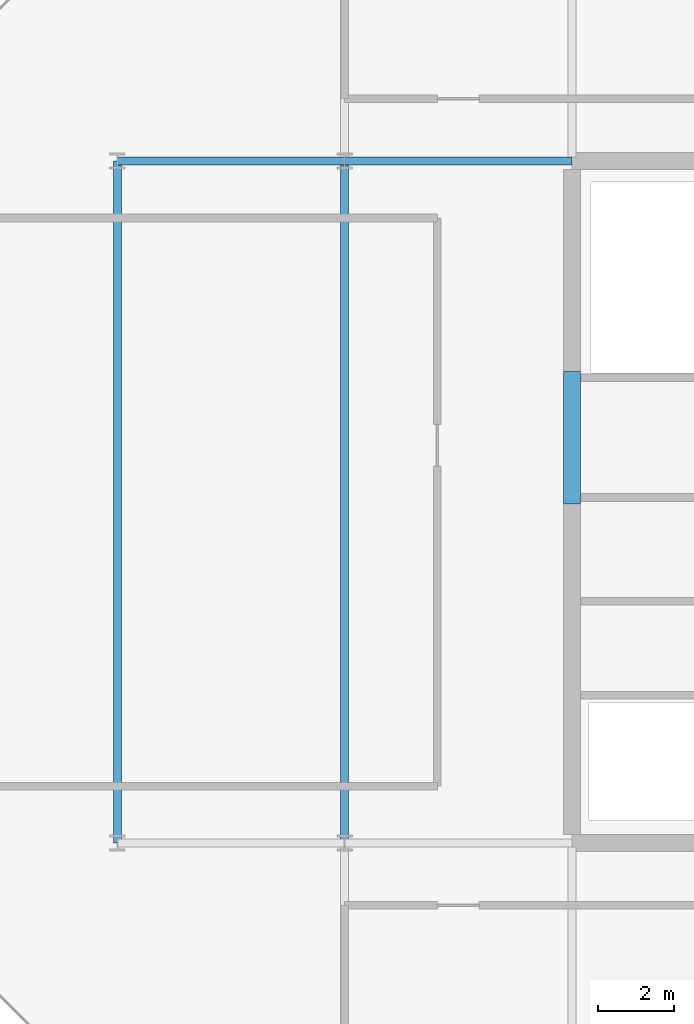
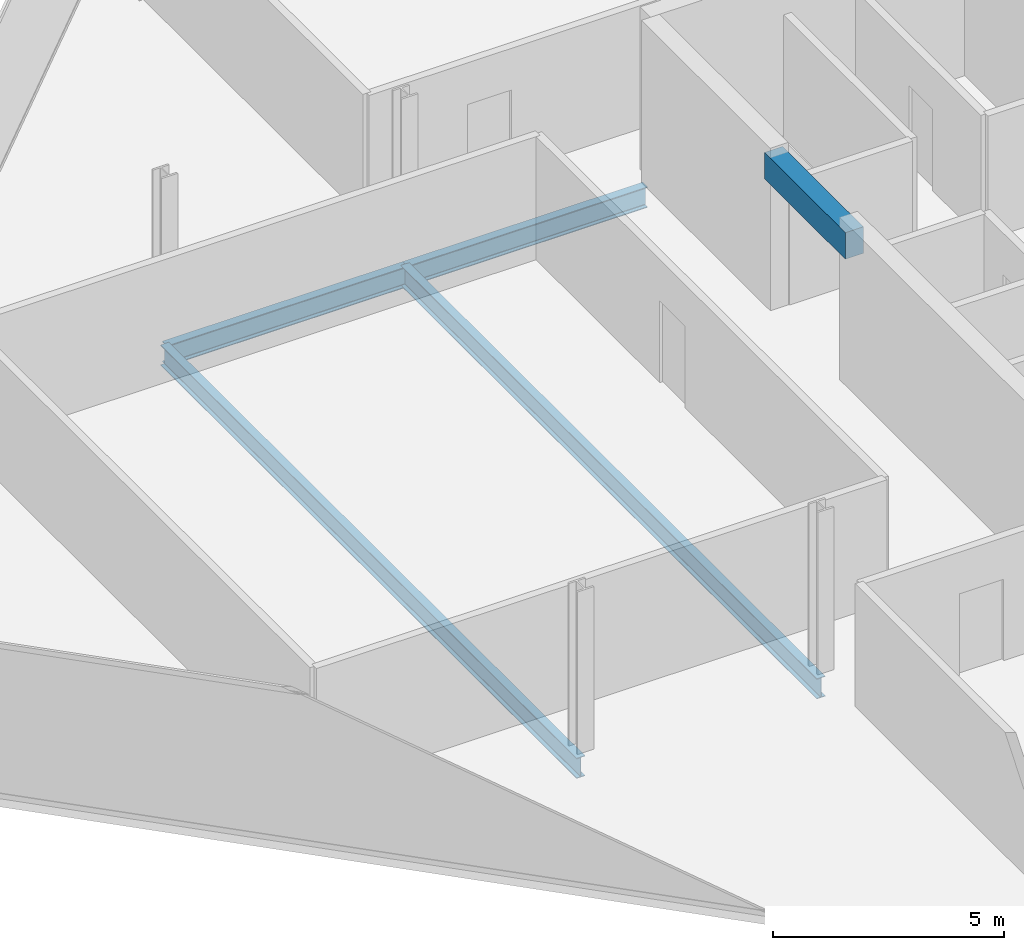
# One storey, part 5 of 16: 5 beams.
"""IFC4 building model written with IfcOpenShell, lengths in metres."""

import ifcopenshell
import ifcopenshell.guid

model = None  # the IFC model being written
_history = None  # IfcOwnerHistory: only IFC2X3 demands one
_inside = {}  # id of a spatial element -> (the spatial element, [elements in it])
_under = {}  # id of a project, library or spatial element -> (it, [spatial elements below it])
_declared = {}  # id of a project -> (the project, [libraries it declares])
_typed = {}  # id of a type object -> (the type object, [elements of that type])
_made_of = {}  # id of a material, layer set ... -> (it, [elements and type objects made of it])


def new_model(schema):
    """Start an empty IFC model of exactly this schema.

    Asked for "IFC4X3", IfcOpenShell would pick the latest addendum, in which some entities
    have other attributes; the version numbers below select the first issue.
    IFC2X3 requires an IfcOwnerHistory on every rooted entity: one is made here for all.
    """
    global model, _history
    if schema == "IFC4X3":
        model = ifcopenshell.file(schema_version=(4, 3, 0, 0))
    else:
        model = ifcopenshell.file(schema=schema)
    _inside.clear()
    _under.clear()
    _declared.clear()
    _typed.clear()
    _made_of.clear()
    _history = None
    if model.schema == "IFC2X3":
        org = make("IfcOrganization", Name="unknown")
        user = make(
            "IfcPersonAndOrganization",
            ThePerson=make("IfcPerson", FamilyName="unknown"),
            TheOrganization=org,
        )
        app = make(
            "IfcApplication",
            ApplicationDeveloper=org,
            Version="unknown",
            ApplicationFullName="unknown",
            ApplicationIdentifier="unknown",
        )
        _history = make(
            "IfcOwnerHistory",
            OwningUser=user,
            OwningApplication=app,
            ChangeAction="ADDED",
            CreationDate=0,
        )
    return model


def make(cls, **values):
    """One entity of the class cls with the attributes given. An attribute that is None is left unset."""
    return model.create_entity(
        cls, **{name: value for name, value in values.items() if value is not None}
    )


def rooted(cls, **values):
    """An entity with a GlobalId (a new one), such as an element, a storey or a relation."""
    return make(cls, GlobalId=ifcopenshell.guid.new(), OwnerHistory=_history, **values)


def si_unit(unit_type, name, prefix=None):
    """IfcSIUnit, for example si_unit("LENGTHUNIT", "METRE", prefix="MILLI")."""
    return make("IfcSIUnit", UnitType=unit_type, Prefix=prefix, Name=name)


def assignment(units):
    """IfcUnitAssignment: the units of a project."""
    return None if units is None else make("IfcUnitAssignment", Units=units)


def point(xyz):
    """IfcCartesianPoint."""
    return None if xyz is None else make("IfcCartesianPoint", Coordinates=xyz)


def direction(xyz):
    """IfcDirection."""
    return None if xyz is None else make("IfcDirection", DirectionRatios=xyz)


def frame(location, z_axis=None, x_axis=None):
    """IfcAxis2Placement3D, a coordinate frame: its origin and axes. An axis left out is left unset."""
    return make(
        "IfcAxis2Placement3D",
        Location=point(location),
        Axis=direction(z_axis),
        RefDirection=direction(x_axis),
    )


def frame_2d(location, x_axis=None):
    """IfcAxis2Placement2D, a coordinate frame in the plane: its origin and x axis."""
    return make(
        "IfcAxis2Placement2D", Location=point(location), RefDirection=direction(x_axis)
    )


def origin():
    """The frame at (0, 0, 0) with its axes left unset."""
    return frame((0.0, 0.0, 0.0))


def origin_2d():
    """The frame at (0, 0) in the plane with its x axis left unset."""
    return frame_2d((0.0, 0.0))


def place(relative_to, where):
    """IfcLocalPlacement: puts the frame where relative to a parent placement (None: the world)."""
    return make(
        "IfcLocalPlacement", PlacementRelTo=relative_to, RelativePlacement=where
    )


def context(
    kind, dimensions, precision=None, world=None, true_north=None, identifier=None
):
    """IfcGeometricRepresentationContext, for example the 3D "Model" context."""
    return make(
        "IfcGeometricRepresentationContext",
        ContextIdentifier=identifier,
        ContextType=kind,
        CoordinateSpaceDimension=dimensions,
        Precision=precision,
        WorldCoordinateSystem=world,
        TrueNorth=true_north,
    )


def subcontext(parent, identifier, kind, view, scale=None):
    """IfcGeometricRepresentationSubContext, for example "Body" below "Model"."""
    return make(
        "IfcGeometricRepresentationSubContext",
        ContextIdentifier=identifier,
        ContextType=kind,
        ParentContext=parent,
        TargetScale=scale,
        TargetView=view,
    )


def project(units=None, contexts=None):
    """IfcProject with its units and contexts."""
    return rooted(
        "IfcProject",
        Name="project",
        RepresentationContexts=contexts,
        UnitsInContext=assignment(units),
    )


def spatial(cls, under=None, at=None, **own):
    """A site, building, storey or space (cls), placed at a placement, below another one or the project."""
    s = rooted(cls, ObjectPlacement=at, **own)
    if under is not None:
        _under.setdefault(under.id(), (under, []))[1].append(s)
    return s


def profile(cls, at=None, kind="AREA", **sizes):
    """A parametric profile (cls). Its sizes go by their IFC names, for example OverallWidth=200.0."""
    return make(cls, ProfileType=kind, Position=at, **sizes)


def rectangle(**sizes):
    """IfcRectangleProfileDef."""
    return profile("IfcRectangleProfileDef", **sizes)


def i_section(**sizes):
    """IfcIShapeProfileDef."""
    return profile("IfcIShapeProfileDef", **sizes)


def extrude(swept, where, along, depth):
    """IfcExtrudedAreaSolid: the profile swept, set in the frame where, extruded along a direction by depth."""
    return make(
        "IfcExtrudedAreaSolid",
        SweptArea=swept,
        Position=where,
        ExtrudedDirection=direction(along),
        Depth=depth,
    )


def shape(context_of_items, identifier, shape_type, items):
    """IfcShapeRepresentation: the items that make up one representation, for example the "Body"."""
    return make(
        "IfcShapeRepresentation",
        ContextOfItems=context_of_items,
        RepresentationIdentifier=identifier,
        RepresentationType=shape_type,
        Items=items,
    )


def material(Name=None, Category=None):
    """IfcMaterial."""
    return make("IfcMaterial", Name=Name, Category=Category)


def material_profile(
    of_material, cross_section, Name=None, Category=None, Priority=None
):
    """IfcMaterialProfile: a cross section and its material."""
    return make(
        "IfcMaterialProfile",
        Name=Name,
        Material=of_material,
        Profile=cross_section,
        Priority=Priority,
        Category=Category,
    )


def profile_set(profiles, Name=None, composite=None):
    """IfcMaterialProfileSet."""
    return make(
        "IfcMaterialProfileSet",
        Name=Name,
        MaterialProfiles=profiles,
        CompositeProfile=composite,
    )


def made_of(thing, what):
    """Note that an element or type object is made of a material, layer set ...; save() writes the relation."""
    if what is not None:
        _made_of.setdefault(what.id(), (what, []))[1].append(thing)
    return thing


def type_object(cls, material=None, **own):
    """A type object (cls), such as IfcWallType, which elements share."""
    return made_of(rooted(cls, **own), material)


def element(
    cls,
    number,
    at=None,
    inside=None,
    cuts=None,
    type_object=None,
    material=None,
    context=None,
    identifier="Body",
    shape_type=None,
    held_by="IfcProductDefinitionShape",
    body=None,
    shapes=None,
    **own,
):
    """One element of the class cls, such as IfcWall. Its Tag is "e" and its number.

    at: its placement. inside: the storey or other place that contains it. cuts: it is an
    opening in that element (IfcRelVoidsElement). A single representation is given by context,
    identifier, shape_type and body (its items); several are given by shapes. held_by: the class
    of the entity that holds the representations. save() writes the other relations.
    """
    e = rooted(cls, Tag="e%d" % number, ObjectPlacement=at, **own)
    if body is not None:
        shapes = [shape(context, identifier, shape_type, body)]
    if shapes is not None:
        e.Representation = make(held_by, Representations=shapes)
    if inside is not None:
        _inside.setdefault(inside.id(), (inside, []))[1].append(e)
    if cuts is not None:
        rooted(
            "IfcRelVoidsElement", RelatingBuildingElement=cuts, RelatedOpeningElement=e
        )
    if type_object is not None:
        _typed.setdefault(type_object.id(), (type_object, []))[1].append(e)
    return made_of(e, material)


def aggregate(whole, parts):
    """IfcRelAggregates: a whole, such as a stair, and the parts it consists of."""
    return rooted("IfcRelAggregates", RelatingObject=whole, RelatedObjects=parts)


def save(model, path):
    """Write the relations noted so far, then the file.

    IfcRelAggregates (storeys below a building ...), IfcRelContainedInSpatialStructure (elements
    in a storey), IfcRelDefinesByType, IfcRelAssociatesMaterial and IfcRelDeclares: one each for
    every whole, place, type object, material and project.
    """
    for whole, parts in _under.values():
        aggregate(whole, parts)
    for where, things in _inside.values():
        rooted(
            "IfcRelContainedInSpatialStructure",
            RelatedElements=things,
            RelatingStructure=where,
        )
    for kind, things in _typed.values():
        rooted("IfcRelDefinesByType", RelatedObjects=things, RelatingType=kind)
    for what, things in _made_of.values():
        rooted("IfcRelAssociatesMaterial", RelatedObjects=things, RelatingMaterial=what)
    for by, libraries in _declared.values():
        rooted("IfcRelDeclares", RelatingContext=by, RelatedDefinitions=libraries)
    model.write(path)


model = new_model("IFC4")

# Units and contexts
model_context = context("Model", 3, precision=1e-05, world=origin(), true_north=direction((0.0, 1.0)))
body_context = subcontext(model_context, "Body", "Model", "MODEL_VIEW")
ifc_project = project(units=[si_unit("LENGTHUNIT", "METRE"), si_unit("AREAUNIT", "SQUARE_METRE"), si_unit("VOLUMEUNIT", "CUBIC_METRE"), si_unit("PLANEANGLEUNIT", "RADIAN"), si_unit("MASSUNIT", "GRAM", prefix="KILO")], contexts=[model_context])

# Site, building, storey
site_placement = place(None, origin())
site = spatial("IfcSite", under=ifc_project, at=site_placement, CompositionType="ELEMENT")
building_placement = place(site_placement, origin())
building = spatial("IfcBuilding", under=site, at=building_placement, Name="Tanjung Sevakor Pilgrim Tower", CompositionType="ELEMENT")
storey_placement = place(building_placement, frame((0.0, 0.0, 278.85009765625)))
storey = spatial("IfcBuildingStorey", under=building, at=storey_placement, Name="L78", CompositionType="ELEMENT", Elevation=278.85009765625)

# Beams
ifc_material_1 = material(Name="Steel S355J2", Category="steel")
ifc_material_profile_1 = material_profile(ifc_material_1, i_section(OverallWidth=0.2119140625, OverallDepth=0.54443359375, WebThickness=0.0126953125, FlangeThickness=0.021240234375, FilletRadius=0.0126953125, at=origin_2d()))
ifc_profile_set_1 = profile_set([ifc_material_profile_1], Name="Steel S355J2")
beam_type_1 = type_object("IfcBeamType", Name="BM-B-G5-UB_533x210x122", PredefinedType="BEAM", material=ifc_profile_set_1)
for number, where, z_axis, x_axis, name in (
    (1, (66.0, 42.60009765625, -0.532470703125), (1.0, 0.0, 0.0), (0.0, 1.0, 0.0), "L78 Primary Floor Girder EAST Y426-01"),
    (2, (72.0, 42.60009765625, -0.532470703125), (1.0, 0.0, 0.0), (0.0, 1.0, 0.0), "L78 Primary Floor Girder EAST Y426-02"),
):
    element("IfcBeam", number, at=place(storey_placement, frame(where, z_axis=z_axis, x_axis=x_axis)), inside=storey, type_object=beam_type_1, Name=name, PredefinedType="BEAM", context=body_context, shape_type="SweptSolid", body=[
        extrude(i_section(OverallWidth=0.2119140625, OverallDepth=0.54443359375, WebThickness=0.0126953125, FlangeThickness=0.021240234375, FilletRadius=0.0126953125, at=origin_2d()), origin(), (0.0, 0.0, 1.0), 6.0),
    ])
ifc_material_2 = material(Name="Steel S355J2", Category="steel")
ifc_material_profile_2 = material_profile(ifc_material_2, i_section(OverallWidth=0.210693359375, OverallDepth=0.53955078125, WebThickness=0.01171875, FlangeThickness=0.018798828125, FilletRadius=0.0126953125, at=origin_2d()))
ifc_profile_set_2 = profile_set([ifc_material_profile_2], Name="Steel S355J2")
beam_type_2 = type_object("IfcBeamType", Name="BM-B-G6-UB_533x210x109", PredefinedType="BEAM", material=ifc_profile_set_2)
for number, where, z_axis, x_axis, name in (
    (3, (66.0, 24.60009765625, -0.52978515625), (0.0, 1.0, 0.0), (-1.0, 0.0, 0.0), "L78 EAST Girder 001"),
    (4, (72.0, 24.60009765625, -0.52978515625), (0.0, 1.0, 0.0), (-1.0, 0.0, 0.0), "L78 EAST Girder 003"),
):
    element("IfcBeam", number, at=place(storey_placement, frame(where, z_axis=z_axis, x_axis=x_axis)), inside=storey, type_object=beam_type_2, Name=name, PredefinedType="BEAM", context=body_context, shape_type="SweptSolid", body=[
        extrude(i_section(OverallWidth=0.210693359375, OverallDepth=0.53955078125, WebThickness=0.01171875, FlangeThickness=0.018798828125, FilletRadius=0.0126953125, at=origin_2d()), origin(), (0.0, 0.0, 1.0), 18.0),
    ])
ifc_material_3 = material(Name="Concrete C60/75", Category="concrete")
ifc_material_profile_3 = material_profile(ifc_material_3, rectangle(XDim=0.449951171875, YDim=0.699951171875, at=origin_2d()))
ifc_profile_set_3 = profile_set([ifc_material_profile_3], Name="Concrete C60/75")
beam_type_3 = type_object("IfcBeamType", Name="BM-B-LN3-RC-BM_450x700", PredefinedType="LINTEL", material=ifc_profile_set_3)
beam_placement = place(storey_placement, frame((78.0, 33.550048828125, 3.679931640625), z_axis=(0.0, 1.0, 0.0), x_axis=(-1.0, 0.0, 0.0)))
element("IfcBeam", 5, at=beam_placement, inside=storey, type_object=beam_type_3, Name="L78 E Core Coupling Lintel", PredefinedType="LINTEL", context=body_context, shape_type="SweptSolid", body=[
    extrude(rectangle(XDim=0.449951171875, YDim=0.699951171875, at=origin_2d()), origin(), (0.0, 0.0, 1.0), 3.5),
])

save(model, "model.ifc")
